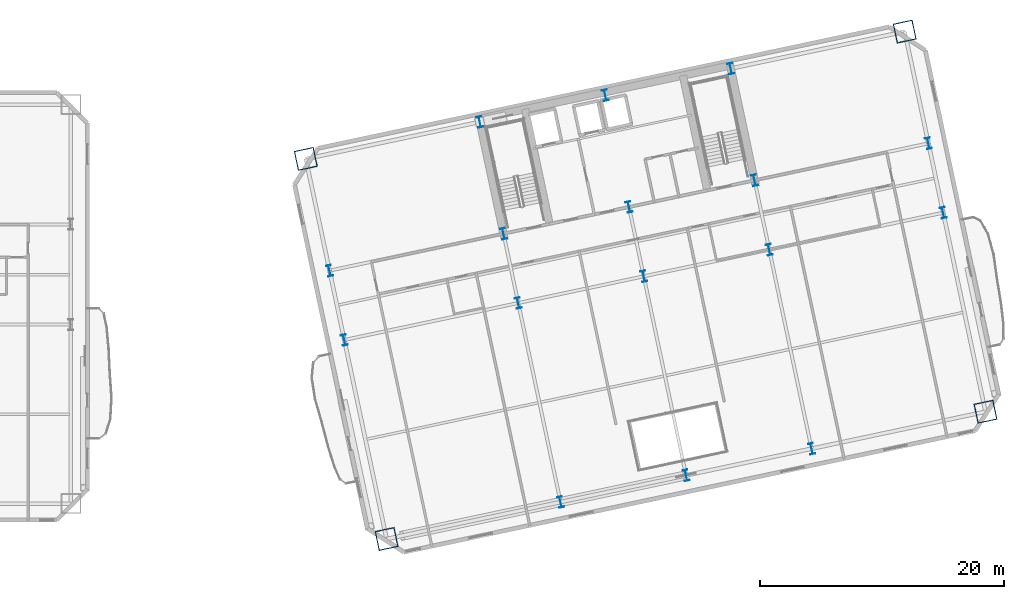
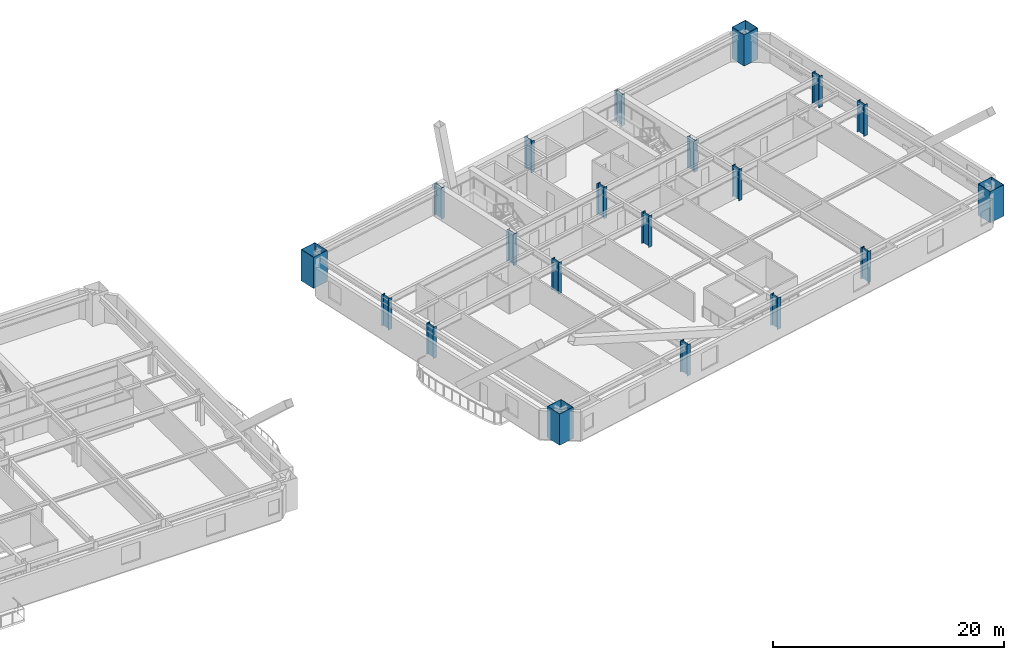
# One storey, part 2 of 17: 20 columns.
"""IFC4 building model written with IfcOpenShell, lengths in metres."""

from ifc_helpers import new_model, si_unit, direction, frame, origin, origin_2d, place, context, subcontext, project, spatial, hollow_rectangle, i_section, extrude, material, material_profile, profile_set, type_object, element, save


model = new_model("IFC4")

# Units and contexts
model_context = context("Model", 3, precision=1e-05, world=origin(), true_north=direction((0.0, 1.0)))
body_context = subcontext(model_context, "Body", "Model", "MODEL_VIEW")
ifc_project = project(units=[si_unit("LENGTHUNIT", "METRE"), si_unit("AREAUNIT", "SQUARE_METRE"), si_unit("VOLUMEUNIT", "CUBIC_METRE"), si_unit("PLANEANGLEUNIT", "RADIAN"), si_unit("MASSUNIT", "GRAM", prefix="KILO")], contexts=[model_context])

# Site, building, storey
site_placement = place(None, origin())
site = spatial("IfcSite", under=ifc_project, at=site_placement, CompositionType="ELEMENT")
building_placement = place(site_placement, origin())
building = spatial("IfcBuilding", under=site, at=building_placement, Name="Haevon Station Towers", CompositionType="ELEMENT")
storey_placement = place(building_placement, frame((0.0, 0.0, 40.5)))
storey = spatial("IfcBuildingStorey", under=building, at=storey_placement, Name="L09", CompositionType="ELEMENT", Elevation=40.5)

# Columns
ifc_material = material(Name="Steel S460", Category="steel")
ifc_material_profile_1 = material_profile(ifc_material, hollow_rectangle(XDim=1.60009765625, YDim=1.60009765625, WallThickness=0.0400390625, at=origin_2d()), Name="BOX-1600x1600x40")
ifc_profile_set_1 = profile_set([ifc_material_profile_1], Name="Steel S460")
column_type_1 = type_object("IfcColumnType", Name="COL-MC1", PredefinedType="COLUMN", material=ifc_profile_set_1)
for number, where, z_axis, x_axis, name in (
    (1, (89.18798828125, 12.457763671875, 0.0), (0.0, 0.0, 1.0), (0.978147600734, 0.207911690818, 0.0), "COL-T2-L09-01-01"),
    (2, (82.576416015625, 43.56298828125, 0.0), (0.0, 0.0, 1.0), (0.978147600734, 0.207911690818, 0.0), "COL-T2-L09-01-04"),
    (3, (138.193115234375, 22.874267578125, 0.0), (0.0, 0.0, 1.0), (0.978147600734, 0.207911690818, 0.0), "COL-T2-L09-05-01"),
    (4, (131.58154296875, 53.979248046875, 0.0), (0.0, 0.0, 1.0), (0.978147600734, 0.207911690818, 0.0), "COL-T2-L09-05-04"),
):
    element("IfcColumn", number, at=place(storey_placement, frame(where, z_axis=z_axis, x_axis=x_axis)), inside=storey, type_object=column_type_1, Name=name, PredefinedType="COLUMN", context=body_context, shape_type="SweptSolid", body=[
        extrude(hollow_rectangle(XDim=1.60009765625, YDim=1.60009765625, WallThickness=0.0400390625, at=origin_2d()), origin(), (0.0, 0.0, 1.0), 3.300048828125),
    ])
ifc_material_profile_2 = material_profile(ifc_material, i_section(OverallWidth=0.39990234375, OverallDepth=0.89990234375, WebThickness=0.02001953125, FlangeThickness=0.035888671875, at=origin_2d()), Name="H-900x400x20x36")
ifc_profile_set_2 = profile_set([ifc_material_profile_2], Name="Steel S460")
column_type_2 = type_object("IfcColumnType", Name="COL-TW1", PredefinedType="COLUMN", material=ifc_profile_set_2)
for number, where, z_axis, x_axis, name in (
    (5, (85.72607421875, 28.744140625, 0.0), (0.0, 0.0, 1.0), (0.978147600734, 0.207911690818, 0.0), "COL-T2-L09-01-02"),
    (6, (84.520263671875, 34.417236328125, 0.0), (0.0, 0.0, 1.0), (0.978147600734, 0.207911690818, 0.0), "COL-T2-L09-01-03"),
    (7, (103.419921875, 15.48291015625, 0.0), (0.0, 0.0, 1.0), (0.978147600734, 0.207911690818, 0.0), "COL-T2-L09-02-01"),
    (8, (99.958251953125, 31.76904296875, 0.0), (0.0, 0.0, 1.0), (0.978147600734, 0.207911690818, 0.0), "COL-T2-L09-02-02"),
    (9, (98.75244140625, 37.4423828125, 0.0), (0.0, 0.0, 1.0), (0.978147600734, 0.207911690818, 0.0), "COL-T2-L09-02-03"),
    (10, (96.808349609375, 46.588134765625, 0.0), (0.0, 0.0, 1.0), (0.978147600734, 0.207911690818, 0.0), "COL-T2-L09-02-04"),
    (11, (113.6904296875, 17.666015625, 0.0), (0.0, 0.0, 1.0), (0.978147600734, 0.207911690818, 0.0), "COL-T2-L09-03-01"),
    (12, (110.228759765625, 33.9521484375, 0.0), (0.0, 0.0, 1.0), (0.978147600734, 0.207911690818, 0.0), "COL-T2-L09-03-02"),
    (13, (109.02294921875, 39.62548828125, 0.0), (0.0, 0.0, 1.0), (0.978147600734, 0.207911690818, 0.0), "COL-T2-L09-03-03"),
    (14, (107.078857421875, 48.771240234375, 0.0), (0.0, 0.0, 1.0), (0.978147600734, 0.207911690818, 0.0), "COL-T2-L09-03-04"),
    (15, (123.961181640625, 19.84912109375, 0.0), (0.0, 0.0, 1.0), (0.978147600734, 0.207911690818, 0.0), "COL-T2-L09-04-01"),
    (16, (120.499267578125, 36.13525390625, 0.0), (0.0, 0.0, 1.0), (0.978147600734, 0.207911690818, 0.0), "COL-T2-L09-04-02"),
    (17, (119.29345703125, 41.80859375, 0.0), (0.0, 0.0, 1.0), (0.978147600734, 0.207911690818, 0.0), "COL-T2-L09-04-03"),
    (18, (117.349365234375, 50.954345703125, 0.0), (0.0, 0.0, 1.0), (0.978147600734, 0.207911690818, 0.0), "COL-T2-L09-04-04"),
    (19, (134.7314453125, 39.160400390625, 0.0), (0.0, 0.0, 1.0), (0.978147600734, 0.207911690818, 0.0), "COL-T2-L09-05-02"),
    (20, (133.525390625, 44.833740234375, 0.0), (0.0, 0.0, 1.0), (0.978147600734, 0.207911690818, 0.0), "COL-T2-L09-05-03"),
):
    element("IfcColumn", number, at=place(storey_placement, frame(where, z_axis=z_axis, x_axis=x_axis)), inside=storey, type_object=column_type_2, Name=name, PredefinedType="COLUMN", context=body_context, shape_type="SweptSolid", body=[
        extrude(i_section(OverallWidth=0.39990234375, OverallDepth=0.89990234375, WebThickness=0.02001953125, FlangeThickness=0.035888671875, at=origin_2d()), origin(), (0.0, 0.0, 1.0), 3.300048828125),
    ])

save(model, "model.ifc")
